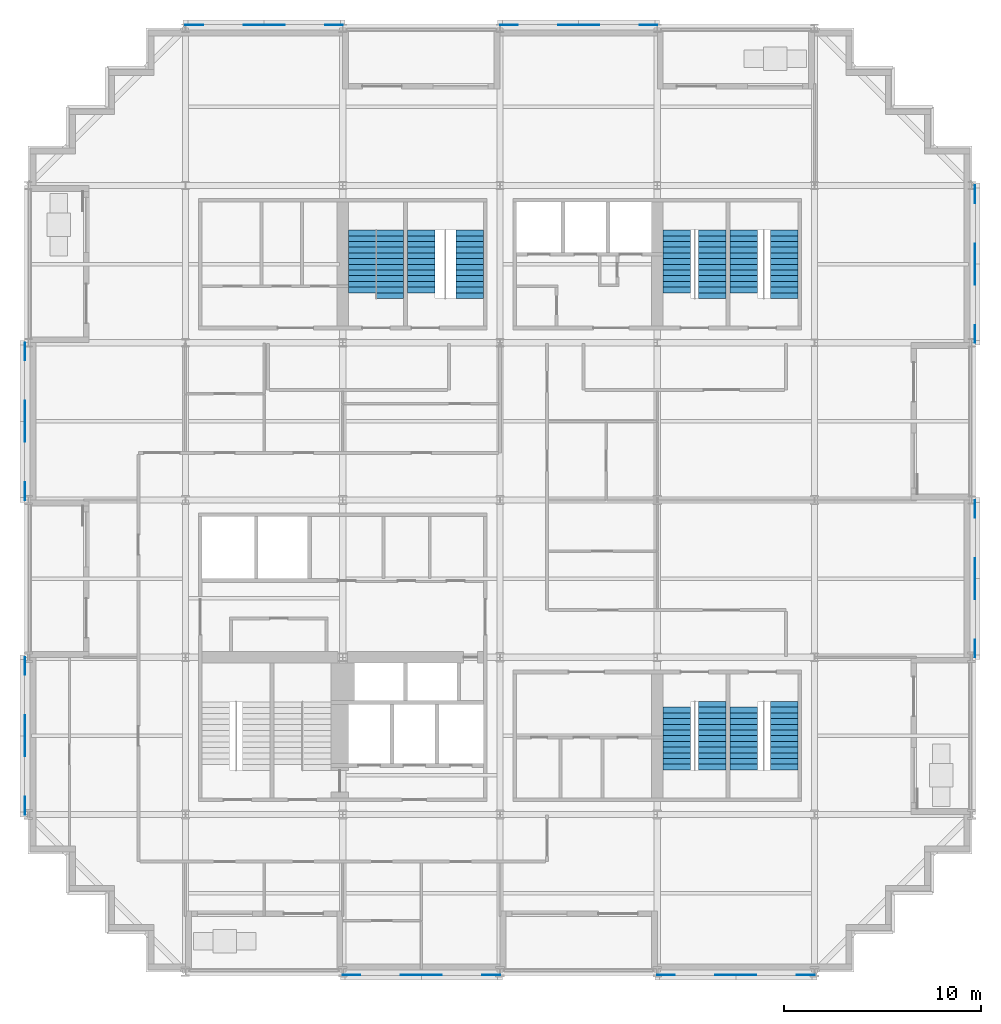
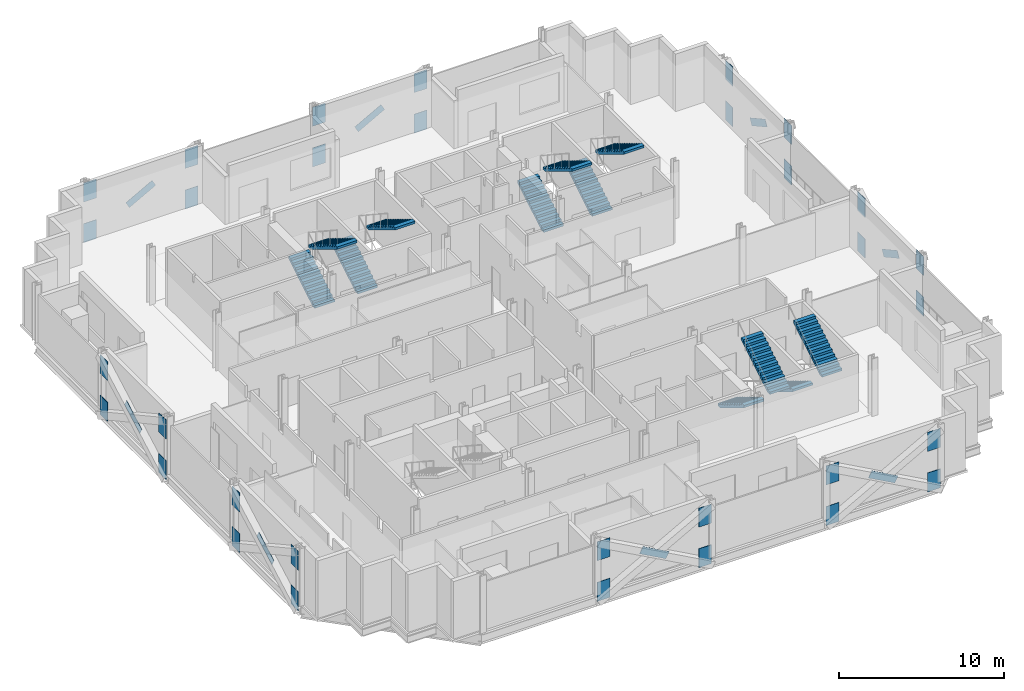
# One storey, part 10 of 13: 40 discrete accessories, 12 stair flights, 6 elements without a shape of their own.
"""IFC4 building model written with IfcOpenShell, lengths in metres."""

from ifc_helpers import new_model, si_unit, direction, frame, origin, origin_2d, place, context, subcontext, project, spatial, polyline, rectangle, outline, extrude, material, material_profile, profile_set, type_object, element, aggregate, save


model = new_model("IFC4")

# Units and contexts
model_context = context("Model", 3, precision=1e-05, world=origin(), true_north=direction((0.0, 1.0)))
body_context = subcontext(model_context, "Body", "Model", "MODEL_VIEW")
ifc_project = project(units=[si_unit("LENGTHUNIT", "METRE"), si_unit("AREAUNIT", "SQUARE_METRE"), si_unit("VOLUMEUNIT", "CUBIC_METRE"), si_unit("PLANEANGLEUNIT", "RADIAN"), si_unit("MASSUNIT", "GRAM", prefix="KILO")], contexts=[model_context])

# Site, building, storey
site_placement = place(None, origin())
site = spatial("IfcSite", under=ifc_project, at=site_placement, CompositionType="ELEMENT")
building_placement = place(site_placement, origin())
building = spatial("IfcBuilding", under=site, at=building_placement, Name="Immortelle Media Tower", CompositionType="ELEMENT")
storey_placement = place(building_placement, frame((0.0, 0.0, 34.800048828125)))
storey = spatial("IfcBuildingStorey", under=building, at=storey_placement, Name="L04", CompositionType="ELEMENT", Elevation=34.800048828125)

# Stair, stair flights
ifc_material_1 = material(Name="Steel ASTM A992 Gr 50", Category="steel")
stair_type = type_object("IfcStairType", Name="Stair with flights", PredefinedType="DOUBLE_RETURN_STAIR", material=ifc_material_1)
stair_1_placement = place(storey_placement, origin())
stair_1 = element("IfcStair", 1, at=stair_1_placement, inside=storey, type_object=stair_type, Name="Exit stair SE1", PredefinedType="DOUBLE_RETURN_STAIR")
stair_flight_type = type_object("IfcStairFlightType", Name="Stair flight 1400", PredefinedType="STRAIGHT", material=ifc_material_1)
stair_flight_1_placement = place(storey_placement, frame((33.0, 13.4599609375, 0.0), z_axis=(0.0, 0.0, 1.0), x_axis=(0.0, -1.0, 0.0)))
stair_flight_1 = element("IfcStairFlight", 2, at=stair_flight_1_placement, type_object=stair_flight_type, Name="ST SE1 flight 1", NumberOfRisers=12, NumberOfTreads=11, PredefinedType="STRAIGHT", RiserHeight=0.176, TreadLength=0.29, context=body_context, shape_type="SweptSolid", body=[
    extrude(outline(polyline([(0.0, 0.0), (0.0, 0.176025390625), (0.2900390625, 0.176025390625), (0.2900390625, 0.35205078125), (0.580078125, 0.35205078125), (0.580078125, 0.528076171875), (0.8701171875, 0.528076171875), (0.8701171875, 0.7041015625), (1.159912109375, 0.7041015625), (1.159912109375, 0.8798828125), (1.449951171875, 0.8798828125), (1.449951171875, 1.055908203125), (1.739990234375, 1.055908203125), (1.739990234375, 1.23193359375), (2.030029296875, 1.23193359375), (2.030029296875, 1.407958984375), (2.320068359375, 1.407958984375), (2.320068359375, 1.583984375), (2.610107421875, 1.583984375), (2.610107421875, 1.760009765625), (2.89990234375, 1.760009765625), (2.89990234375, 1.93603515625), (3.18994140625, 1.93603515625), (3.18994140625, 2.112060546875), (3.18994140625, 1.7607421875), (0.288818359375, 0.0), (0.0, 0.0)])), frame((0.0, 0.699951171875, 0.0), z_axis=(0.0, -1.0, 0.0), x_axis=(1.0, 0.0, 0.0)), (0.0, 0.0, 1.0), 1.39990234375),
])
stair_flight_2_placement = place(storey_placement, frame((34.800048828125, 10.27001953125, 2.112060546875), z_axis=(0.0, 0.0, 1.0), x_axis=(0.0, 1.0, 0.0)))
stair_flight_2 = element("IfcStairFlight", 3, at=stair_flight_2_placement, type_object=stair_flight_type, Name="ST SE1 flight 2", NumberOfRisers=13, NumberOfTreads=12, PredefinedType="STRAIGHT", RiserHeight=0.176, TreadLength=0.29, context=body_context, shape_type="SweptSolid", body=[
    extrude(outline(polyline([(0.0, 0.0), (0.0, 0.176025390625), (0.2900390625, 0.176025390625), (0.2900390625, 0.35205078125), (0.580078125, 0.35205078125), (0.580078125, 0.528076171875), (0.8701171875, 0.528076171875), (0.8701171875, 0.7041015625), (1.159912109375, 0.7041015625), (1.159912109375, 0.8798828125), (1.449951171875, 0.8798828125), (1.449951171875, 1.055908203125), (1.739990234375, 1.055908203125), (1.739990234375, 1.23193359375), (2.030029296875, 1.23193359375), (2.030029296875, 1.407958984375), (2.320068359375, 1.407958984375), (2.320068359375, 1.583984375), (2.610107421875, 1.583984375), (2.610107421875, 1.760009765625), (2.89990234375, 1.760009765625), (2.89990234375, 1.93603515625), (3.18994140625, 1.93603515625), (3.18994140625, 2.112060546875), (3.47998046875, 2.112060546875), (3.47998046875, 2.2880859375), (3.47998046875, 1.936767578125), (0.288818359375, 0.0), (0.0, 0.0)])), frame((0.0, 0.699951171875, 0.0), z_axis=(0.0, -1.0, 0.0), x_axis=(1.0, 0.0, 0.0)), (0.0, 0.0, 1.0), 1.39990234375),
])
aggregate(stair_1, [stair_flight_1, stair_flight_2])

stair_2_placement = place(storey_placement, origin())
stair_2 = element("IfcStair", 4, at=stair_2_placement, inside=storey, type_object=stair_type, Name="Exit stair SE2", PredefinedType="DOUBLE_RETURN_STAIR")
stair_flight_3_placement = place(storey_placement, frame((36.39990234375, 13.4599609375, 0.0), z_axis=(0.0, 0.0, 1.0), x_axis=(0.0, -1.0, 0.0)))
stair_flight_3 = element("IfcStairFlight", 5, at=stair_flight_3_placement, type_object=stair_flight_type, Name="ST SE2 flight 1", NumberOfRisers=12, NumberOfTreads=11, PredefinedType="STRAIGHT", RiserHeight=0.176, TreadLength=0.29, context=body_context, shape_type="SweptSolid", body=[
    extrude(outline(polyline([(0.0, 0.0), (0.0, 0.176025390625), (0.2900390625, 0.176025390625), (0.2900390625, 0.35205078125), (0.580078125, 0.35205078125), (0.580078125, 0.528076171875), (0.8701171875, 0.528076171875), (0.8701171875, 0.7041015625), (1.159912109375, 0.7041015625), (1.159912109375, 0.8798828125), (1.449951171875, 0.8798828125), (1.449951171875, 1.055908203125), (1.739990234375, 1.055908203125), (1.739990234375, 1.23193359375), (2.030029296875, 1.23193359375), (2.030029296875, 1.407958984375), (2.320068359375, 1.407958984375), (2.320068359375, 1.583984375), (2.610107421875, 1.583984375), (2.610107421875, 1.760009765625), (2.89990234375, 1.760009765625), (2.89990234375, 1.93603515625), (3.18994140625, 1.93603515625), (3.18994140625, 2.112060546875), (3.18994140625, 1.7607421875), (0.288818359375, 0.0), (0.0, 0.0)])), frame((0.0, 0.699951171875, 0.0), z_axis=(0.0, -1.0, 0.0), x_axis=(1.0, 0.0, 0.0)), (0.0, 0.0, 1.0), 1.39990234375),
])
stair_flight_4_placement = place(storey_placement, frame((38.449951171875, 10.27001953125, 2.112060546875), z_axis=(0.0, 0.0, 1.0), x_axis=(0.0, 1.0, 0.0)))
stair_flight_4 = element("IfcStairFlight", 6, at=stair_flight_4_placement, type_object=stair_flight_type, Name="ST SE2 flight 2", NumberOfRisers=13, NumberOfTreads=12, PredefinedType="STRAIGHT", RiserHeight=0.176, TreadLength=0.29, context=body_context, shape_type="SweptSolid", body=[
    extrude(outline(polyline([(0.0, 0.0), (0.0, 0.176025390625), (0.2900390625, 0.176025390625), (0.2900390625, 0.35205078125), (0.580078125, 0.35205078125), (0.580078125, 0.528076171875), (0.8701171875, 0.528076171875), (0.8701171875, 0.7041015625), (1.159912109375, 0.7041015625), (1.159912109375, 0.8798828125), (1.449951171875, 0.8798828125), (1.449951171875, 1.055908203125), (1.739990234375, 1.055908203125), (1.739990234375, 1.23193359375), (2.030029296875, 1.23193359375), (2.030029296875, 1.407958984375), (2.320068359375, 1.407958984375), (2.320068359375, 1.583984375), (2.610107421875, 1.583984375), (2.610107421875, 1.760009765625), (2.89990234375, 1.760009765625), (2.89990234375, 1.93603515625), (3.18994140625, 1.93603515625), (3.18994140625, 2.112060546875), (3.47998046875, 2.112060546875), (3.47998046875, 2.2880859375), (3.47998046875, 1.936767578125), (0.288818359375, 0.0), (0.0, 0.0)])), frame((0.0, 0.699951171875, 0.0), z_axis=(0.0, -1.0, 0.0), x_axis=(1.0, 0.0, 0.0)), (0.0, 0.0, 1.0), 1.39990234375),
])
aggregate(stair_2, [stair_flight_3, stair_flight_4])

stair_3_placement = place(storey_placement, origin())
stair_3 = element("IfcStair", 7, at=stair_3_placement, inside=storey, type_object=stair_type, Name="Exit stair NW1", PredefinedType="DOUBLE_RETURN_STAIR")
stair_flight_5_placement = place(storey_placement, frame((17.0, 34.5400390625, 0.0), z_axis=(0.0, 0.0, 1.0), x_axis=(0.0, 1.0, 0.0)))
stair_flight_5 = element("IfcStairFlight", 8, at=stair_flight_5_placement, type_object=stair_flight_type, Name="ST NW1 flight 1", NumberOfRisers=12, NumberOfTreads=11, PredefinedType="STRAIGHT", RiserHeight=0.176, TreadLength=0.29, context=body_context, shape_type="SweptSolid", body=[
    extrude(outline(polyline([(0.0, 0.0), (0.0, 0.176025390625), (0.2900390625, 0.176025390625), (0.2900390625, 0.35205078125), (0.580078125, 0.35205078125), (0.580078125, 0.528076171875), (0.8701171875, 0.528076171875), (0.8701171875, 0.7041015625), (1.159912109375, 0.7041015625), (1.159912109375, 0.8798828125), (1.449951171875, 0.8798828125), (1.449951171875, 1.055908203125), (1.739990234375, 1.055908203125), (1.739990234375, 1.23193359375), (2.030029296875, 1.23193359375), (2.030029296875, 1.407958984375), (2.320068359375, 1.407958984375), (2.320068359375, 1.583984375), (2.610107421875, 1.583984375), (2.610107421875, 1.760009765625), (2.89990234375, 1.760009765625), (2.89990234375, 1.93603515625), (3.18994140625, 1.93603515625), (3.18994140625, 2.112060546875), (3.18994140625, 1.7607421875), (0.288818359375, 0.0), (0.0, 0.0)])), frame((0.0, 0.699951171875, 0.0), z_axis=(0.0, -1.0, 0.0), x_axis=(1.0, 0.0, 0.0)), (0.0, 0.0, 1.0), 1.39990234375),
])
stair_flight_6_placement = place(storey_placement, frame((18.39990234375, 37.72998046875, 2.112060546875), z_axis=(0.0, 0.0, 1.0), x_axis=(0.0, -1.0, 0.0)))
stair_flight_6 = element("IfcStairFlight", 9, at=stair_flight_6_placement, type_object=stair_flight_type, Name="ST NW1 flight 2", NumberOfRisers=13, NumberOfTreads=12, PredefinedType="STRAIGHT", RiserHeight=0.176, TreadLength=0.29, context=body_context, shape_type="SweptSolid", body=[
    extrude(outline(polyline([(0.0, 0.0), (0.0, 0.176025390625), (0.2900390625, 0.176025390625), (0.2900390625, 0.35205078125), (0.580078125, 0.35205078125), (0.580078125, 0.528076171875), (0.8701171875, 0.528076171875), (0.8701171875, 0.7041015625), (1.159912109375, 0.7041015625), (1.159912109375, 0.8798828125), (1.449951171875, 0.8798828125), (1.449951171875, 1.055908203125), (1.739990234375, 1.055908203125), (1.739990234375, 1.23193359375), (2.030029296875, 1.23193359375), (2.030029296875, 1.407958984375), (2.320068359375, 1.407958984375), (2.320068359375, 1.583984375), (2.610107421875, 1.583984375), (2.610107421875, 1.760009765625), (2.89990234375, 1.760009765625), (2.89990234375, 1.93603515625), (3.18994140625, 1.93603515625), (3.18994140625, 2.112060546875), (3.47998046875, 2.112060546875), (3.47998046875, 2.2880859375), (3.47998046875, 1.936767578125), (0.288818359375, 0.0), (0.0, 0.0)])), frame((0.0, 0.699951171875, 0.0), z_axis=(0.0, -1.0, 0.0), x_axis=(1.0, 0.0, 0.0)), (0.0, 0.0, 1.0), 1.39990234375),
])
aggregate(stair_3, [stair_flight_5, stair_flight_6])

stair_4_placement = place(storey_placement, origin())
stair_4 = element("IfcStair", 10, at=stair_4_placement, inside=storey, type_object=stair_type, Name="Exit stair NW2", PredefinedType="DOUBLE_RETURN_STAIR")
stair_flight_7_placement = place(storey_placement, frame((20.0, 34.5400390625, 0.0), z_axis=(0.0, 0.0, 1.0), x_axis=(0.0, 1.0, 0.0)))
stair_flight_7 = element("IfcStairFlight", 11, at=stair_flight_7_placement, type_object=stair_flight_type, Name="ST NW2 flight 1", NumberOfRisers=12, NumberOfTreads=11, PredefinedType="STRAIGHT", RiserHeight=0.176, TreadLength=0.29, context=body_context, shape_type="SweptSolid", body=[
    extrude(outline(polyline([(0.0, 0.0), (0.0, 0.176025390625), (0.2900390625, 0.176025390625), (0.2900390625, 0.35205078125), (0.580078125, 0.35205078125), (0.580078125, 0.528076171875), (0.8701171875, 0.528076171875), (0.8701171875, 0.7041015625), (1.159912109375, 0.7041015625), (1.159912109375, 0.8798828125), (1.449951171875, 0.8798828125), (1.449951171875, 1.055908203125), (1.739990234375, 1.055908203125), (1.739990234375, 1.23193359375), (2.030029296875, 1.23193359375), (2.030029296875, 1.407958984375), (2.320068359375, 1.407958984375), (2.320068359375, 1.583984375), (2.610107421875, 1.583984375), (2.610107421875, 1.760009765625), (2.89990234375, 1.760009765625), (2.89990234375, 1.93603515625), (3.18994140625, 1.93603515625), (3.18994140625, 2.112060546875), (3.18994140625, 1.7607421875), (0.288818359375, 0.0), (0.0, 0.0)])), frame((0.0, 0.699951171875, 0.0), z_axis=(0.0, -1.0, 0.0), x_axis=(1.0, 0.0, 0.0)), (0.0, 0.0, 1.0), 1.39990234375),
])
stair_flight_8_placement = place(storey_placement, frame((22.449951171875, 37.72998046875, 2.112060546875), z_axis=(0.0, 0.0, 1.0), x_axis=(0.0, -1.0, 0.0)))
stair_flight_8 = element("IfcStairFlight", 12, at=stair_flight_8_placement, type_object=stair_flight_type, Name="ST NW2 flight 2", NumberOfRisers=13, NumberOfTreads=12, PredefinedType="STRAIGHT", RiserHeight=0.176, TreadLength=0.29, context=body_context, shape_type="SweptSolid", body=[
    extrude(outline(polyline([(0.0, 0.0), (0.0, 0.176025390625), (0.2900390625, 0.176025390625), (0.2900390625, 0.35205078125), (0.580078125, 0.35205078125), (0.580078125, 0.528076171875), (0.8701171875, 0.528076171875), (0.8701171875, 0.7041015625), (1.159912109375, 0.7041015625), (1.159912109375, 0.8798828125), (1.449951171875, 0.8798828125), (1.449951171875, 1.055908203125), (1.739990234375, 1.055908203125), (1.739990234375, 1.23193359375), (2.030029296875, 1.23193359375), (2.030029296875, 1.407958984375), (2.320068359375, 1.407958984375), (2.320068359375, 1.583984375), (2.610107421875, 1.583984375), (2.610107421875, 1.760009765625), (2.89990234375, 1.760009765625), (2.89990234375, 1.93603515625), (3.18994140625, 1.93603515625), (3.18994140625, 2.112060546875), (3.47998046875, 2.112060546875), (3.47998046875, 2.2880859375), (3.47998046875, 1.936767578125), (0.288818359375, 0.0), (0.0, 0.0)])), frame((0.0, 0.699951171875, 0.0), z_axis=(0.0, -1.0, 0.0), x_axis=(1.0, 0.0, 0.0)), (0.0, 0.0, 1.0), 1.39990234375),
])
aggregate(stair_4, [stair_flight_7, stair_flight_8])

stair_5_placement = place(storey_placement, origin())
stair_5 = element("IfcStair", 13, at=stair_5_placement, inside=storey, type_object=stair_type, Name="Exit stair NE1", PredefinedType="DOUBLE_RETURN_STAIR")
stair_flight_9_placement = place(storey_placement, frame((33.0, 34.5400390625, 0.0), z_axis=(0.0, 0.0, 1.0), x_axis=(0.0, 1.0, 0.0)))
stair_flight_9 = element("IfcStairFlight", 14, at=stair_flight_9_placement, type_object=stair_flight_type, Name="ST NE1 flight 1", NumberOfRisers=12, NumberOfTreads=11, PredefinedType="STRAIGHT", RiserHeight=0.176, TreadLength=0.29, context=body_context, shape_type="SweptSolid", body=[
    extrude(outline(polyline([(0.0, 0.0), (0.0, 0.176025390625), (0.2900390625, 0.176025390625), (0.2900390625, 0.35205078125), (0.580078125, 0.35205078125), (0.580078125, 0.528076171875), (0.8701171875, 0.528076171875), (0.8701171875, 0.7041015625), (1.159912109375, 0.7041015625), (1.159912109375, 0.8798828125), (1.449951171875, 0.8798828125), (1.449951171875, 1.055908203125), (1.739990234375, 1.055908203125), (1.739990234375, 1.23193359375), (2.030029296875, 1.23193359375), (2.030029296875, 1.407958984375), (2.320068359375, 1.407958984375), (2.320068359375, 1.583984375), (2.610107421875, 1.583984375), (2.610107421875, 1.760009765625), (2.89990234375, 1.760009765625), (2.89990234375, 1.93603515625), (3.18994140625, 1.93603515625), (3.18994140625, 2.112060546875), (3.18994140625, 1.7607421875), (0.288818359375, 0.0), (0.0, 0.0)])), frame((0.0, 0.699951171875, 0.0), z_axis=(0.0, -1.0, 0.0), x_axis=(1.0, 0.0, 0.0)), (0.0, 0.0, 1.0), 1.39990234375),
])
stair_flight_10_placement = place(storey_placement, frame((34.800048828125, 37.72998046875, 2.112060546875), z_axis=(0.0, 0.0, 1.0), x_axis=(0.0, -1.0, 0.0)))
stair_flight_10 = element("IfcStairFlight", 15, at=stair_flight_10_placement, type_object=stair_flight_type, Name="ST NE1 flight 2", NumberOfRisers=13, NumberOfTreads=12, PredefinedType="STRAIGHT", RiserHeight=0.176, TreadLength=0.29, context=body_context, shape_type="SweptSolid", body=[
    extrude(outline(polyline([(0.0, 0.0), (0.0, 0.176025390625), (0.2900390625, 0.176025390625), (0.2900390625, 0.35205078125), (0.580078125, 0.35205078125), (0.580078125, 0.528076171875), (0.8701171875, 0.528076171875), (0.8701171875, 0.7041015625), (1.159912109375, 0.7041015625), (1.159912109375, 0.8798828125), (1.449951171875, 0.8798828125), (1.449951171875, 1.055908203125), (1.739990234375, 1.055908203125), (1.739990234375, 1.23193359375), (2.030029296875, 1.23193359375), (2.030029296875, 1.407958984375), (2.320068359375, 1.407958984375), (2.320068359375, 1.583984375), (2.610107421875, 1.583984375), (2.610107421875, 1.760009765625), (2.89990234375, 1.760009765625), (2.89990234375, 1.93603515625), (3.18994140625, 1.93603515625), (3.18994140625, 2.112060546875), (3.47998046875, 2.112060546875), (3.47998046875, 2.2880859375), (3.47998046875, 1.936767578125), (0.288818359375, 0.0), (0.0, 0.0)])), frame((0.0, 0.699951171875, 0.0), z_axis=(0.0, -1.0, 0.0), x_axis=(1.0, 0.0, 0.0)), (0.0, 0.0, 1.0), 1.39990234375),
])
aggregate(stair_5, [stair_flight_9, stair_flight_10])

stair_6_placement = place(storey_placement, origin())
stair_6 = element("IfcStair", 16, at=stair_6_placement, inside=storey, type_object=stair_type, Name="Exit stair NE2", PredefinedType="DOUBLE_RETURN_STAIR")
stair_flight_11_placement = place(storey_placement, frame((36.39990234375, 34.5400390625, 0.0), z_axis=(0.0, 0.0, 1.0), x_axis=(0.0, 1.0, 0.0)))
stair_flight_11 = element("IfcStairFlight", 17, at=stair_flight_11_placement, type_object=stair_flight_type, Name="ST NE2 flight 1", NumberOfRisers=12, NumberOfTreads=11, PredefinedType="STRAIGHT", RiserHeight=0.176, TreadLength=0.29, context=body_context, shape_type="SweptSolid", body=[
    extrude(outline(polyline([(0.0, 0.0), (0.0, 0.176025390625), (0.2900390625, 0.176025390625), (0.2900390625, 0.35205078125), (0.580078125, 0.35205078125), (0.580078125, 0.528076171875), (0.8701171875, 0.528076171875), (0.8701171875, 0.7041015625), (1.159912109375, 0.7041015625), (1.159912109375, 0.8798828125), (1.449951171875, 0.8798828125), (1.449951171875, 1.055908203125), (1.739990234375, 1.055908203125), (1.739990234375, 1.23193359375), (2.030029296875, 1.23193359375), (2.030029296875, 1.407958984375), (2.320068359375, 1.407958984375), (2.320068359375, 1.583984375), (2.610107421875, 1.583984375), (2.610107421875, 1.760009765625), (2.89990234375, 1.760009765625), (2.89990234375, 1.93603515625), (3.18994140625, 1.93603515625), (3.18994140625, 2.112060546875), (3.18994140625, 1.7607421875), (0.288818359375, 0.0), (0.0, 0.0)])), frame((0.0, 0.699951171875, 0.0), z_axis=(0.0, -1.0, 0.0), x_axis=(1.0, 0.0, 0.0)), (0.0, 0.0, 1.0), 1.39990234375),
])
stair_flight_12_placement = place(storey_placement, frame((38.449951171875, 37.72998046875, 2.112060546875), z_axis=(0.0, 0.0, 1.0), x_axis=(0.0, -1.0, 0.0)))
stair_flight_12 = element("IfcStairFlight", 18, at=stair_flight_12_placement, type_object=stair_flight_type, Name="ST NE2 flight 2", NumberOfRisers=13, NumberOfTreads=12, PredefinedType="STRAIGHT", RiserHeight=0.176, TreadLength=0.29, context=body_context, shape_type="SweptSolid", body=[
    extrude(outline(polyline([(0.0, 0.0), (0.0, 0.176025390625), (0.2900390625, 0.176025390625), (0.2900390625, 0.35205078125), (0.580078125, 0.35205078125), (0.580078125, 0.528076171875), (0.8701171875, 0.528076171875), (0.8701171875, 0.7041015625), (1.159912109375, 0.7041015625), (1.159912109375, 0.8798828125), (1.449951171875, 0.8798828125), (1.449951171875, 1.055908203125), (1.739990234375, 1.055908203125), (1.739990234375, 1.23193359375), (2.030029296875, 1.23193359375), (2.030029296875, 1.407958984375), (2.320068359375, 1.407958984375), (2.320068359375, 1.583984375), (2.610107421875, 1.583984375), (2.610107421875, 1.760009765625), (2.89990234375, 1.760009765625), (2.89990234375, 1.93603515625), (3.18994140625, 1.93603515625), (3.18994140625, 2.112060546875), (3.47998046875, 2.112060546875), (3.47998046875, 2.2880859375), (3.47998046875, 1.936767578125), (0.288818359375, 0.0), (0.0, 0.0)])), frame((0.0, 0.699951171875, 0.0), z_axis=(0.0, -1.0, 0.0), x_axis=(1.0, 0.0, 0.0)), (0.0, 0.0, 1.0), 1.39990234375),
])
aggregate(stair_6, [stair_flight_11, stair_flight_12])

# Discrete accessories
ifc_material_2 = material(Name="Steel ASTM A572 Gr 50", Category="steel")
ifc_material_profile_1 = material_profile(ifc_material_2, rectangle(XDim=0.02392578125, YDim=0.508056640625, at=origin_2d()), Name="PL 24 x 508")
ifc_profile_set_1 = profile_set([ifc_material_profile_1], Name="Steel ASTM A572 Gr 50")
discrete_accessory_type_1 = type_object("IfcDiscreteAccessoryType", Name="Crossing plate XP-BR2 2100 x 508 x 24", PredefinedType="USERDEFINED", material=ifc_profile_set_1)
for number, where, z_axis, x_axis, name in (
    (19, (-0.1640625, 28.919921875, 2.2080078125), (0.0, -0.876206089199, -0.481936602937), (1.0, 0.0, 0.0), "Crossing plate XP-BR2 of Brace 1/D-E A and Brace 1/D-E B"),
    (20, (-0.1640625, 12.919921875, 2.2080078125), (0.0, -0.876206089199, -0.481936602937), (1.0, 0.0, 0.0), "Crossing plate XP-BR2 of Brace 1/B-C A and Brace 1/B-C B"),
    (21, (48.1640625, 19.080078125, 2.2080078125), (0.0, 0.876206089199, -0.481936602937), (-1.0, 0.0, 0.0), "Crossing plate XP-BR2 of Brace 7/C-D A and Brace 7/C-D B"),
    (22, (48.1640625, 35.080078125, 2.2080078125), (0.0, 0.876206089199, -0.481936602937), (-1.0, 0.0, 0.0), "Crossing plate XP-BR2 of Brace 7/E-F A and Brace 7/E-F B"),
    (23, (28.919921875, 48.1640625, 2.2080078125), (-0.876206089199, 0.0, -0.481936602937), (0.0, -1.0, 0.0), "Crossing plate XP-BR2 of Brace G/4-5 A and Brace G/4-5 B"),
    (24, (12.919921875, 48.1640625, 2.2080078125), (-0.876206089199, 0.0, -0.481936602937), (0.0, -1.0, 0.0), "Crossing plate XP-BR2 of Brace G/2-3 A and Brace G/2-3 B"),
    (25, (19.080078125, -0.1640625, 2.2080078125), (0.876206089199, 0.0, -0.481936602937), (0.0, 1.0, 0.0), "Crossing plate XP-BR2 of Brace A/3-4 A and Brace A/3-4 B"),
    (26, (35.080078125, -0.1640625, 2.2080078125), (0.876206089199, 0.0, -0.481936602937), (0.0, 1.0, 0.0), "Crossing plate XP-BR2 of Brace A/5-6 A and Brace A/5-6 B"),
):
    element("IfcDiscreteAccessory", number, at=place(storey_placement, frame(where, z_axis=z_axis, x_axis=x_axis)), inside=storey, type_object=discrete_accessory_type_1, Name=name, ObjectType="CROSSING PLATE", PredefinedType="USERDEFINED", context=body_context, shape_type="SweptSolid", body=[
        extrude(rectangle(XDim=0.02392578125, YDim=0.508056640625, at=origin_2d()), origin(), (0.0, 0.0, 1.0), 2.099853515625),
    ])
ifc_material_profile_2 = material_profile(ifc_material_2, rectangle(XDim=0.031982421875, YDim=1.39990234375, at=origin_2d()), Name="PL 32 x 1400")
ifc_profile_set_2 = profile_set([ifc_material_profile_2], Name="Steel ASTM A572 Gr 50")
discrete_accessory_type_2 = type_object("IfcDiscreteAccessoryType", Name="Gusset plate GP1 900 x 1400 x 32", PredefinedType="USERDEFINED", material=ifc_profile_set_2)
for number, where, z_axis, x_axis, name in (
    (27, (-0.1640625, 32.0, 0.201904296875), (0.0, -1.0, 0.0), (1.0, 0.0, 0.0), "Gusset plate GP1, lower end of Brace 1/D-E A"),
    (28, (-0.1640625, 24.0, 3.201904296875), (0.0, 1.0, 0.0), (-1.0, 0.0, 0.0), "Gusset plate GP1, upper end of Brace 1/D-E A"),
    (29, (-0.1640625, 24.0, 0.201904296875), (0.0, 1.0, 0.0), (-1.0, 0.0, 0.0), "Gusset plate GP1, lower end of Brace 1/D-E B"),
    (30, (-0.1640625, 32.0, 3.201904296875), (0.0, -1.0, 0.0), (1.0, 0.0, 0.0), "Gusset plate GP1, upper end of Brace 1/D-E B"),
    (31, (-0.1640625, 16.0, 0.201904296875), (0.0, -1.0, 0.0), (1.0, 0.0, 0.0), "Gusset plate GP1, lower end of Brace 1/B-C A"),
    (32, (-0.1640625, 8.0, 3.201904296875), (0.0, 1.0, 0.0), (-1.0, 0.0, 0.0), "Gusset plate GP1, upper end of Brace 1/B-C A"),
    (33, (-0.1640625, 8.0, 0.201904296875), (0.0, 1.0, 0.0), (-1.0, 0.0, 0.0), "Gusset plate GP1, lower end of Brace 1/B-C B"),
    (34, (-0.1640625, 16.0, 3.201904296875), (0.0, -1.0, 0.0), (1.0, 0.0, 0.0), "Gusset plate GP1, upper end of Brace 1/B-C B"),
    (35, (16.0, -0.1640625, 0.201904296875), (1.0, 0.0, 0.0), (0.0, 1.0, 0.0), "Gusset plate GP1, lower end of Brace A/3-4 A"),
    (36, (24.0, -0.1640625, 3.201904296875), (-1.0, 0.0, 0.0), (0.0, -1.0, 0.0), "Gusset plate GP1, upper end of Brace A/3-4 A"),
    (37, (24.0, -0.1640625, 0.201904296875), (-1.0, 0.0, 0.0), (0.0, -1.0, 0.0), "Gusset plate GP1, lower end of Brace A/3-4 B"),
    (38, (16.0, -0.1640625, 3.201904296875), (1.0, 0.0, 0.0), (0.0, 1.0, 0.0), "Gusset plate GP1, upper end of Brace A/3-4 B"),
    (39, (32.0, -0.1640625, 0.201904296875), (1.0, 0.0, 0.0), (0.0, 1.0, 0.0), "Gusset plate GP1, lower end of Brace A/5-6 A"),
    (40, (40.0, -0.1640625, 3.201904296875), (-1.0, 0.0, 0.0), (0.0, -1.0, 0.0), "Gusset plate GP1, upper end of Brace A/5-6 A"),
    (41, (40.0, -0.1640625, 0.201904296875), (-1.0, 0.0, 0.0), (0.0, -1.0, 0.0), "Gusset plate GP1, lower end of Brace A/5-6 B"),
    (42, (32.0, -0.1640625, 3.201904296875), (1.0, 0.0, 0.0), (0.0, 1.0, 0.0), "Gusset plate GP1, upper end of Brace A/5-6 B"),
    (43, (48.1640625, 16.0, 0.201904296875), (0.0, 1.0, 0.0), (-1.0, 0.0, 0.0), "Gusset plate GP1, lower end of Brace 7/C-D A"),
    (44, (48.1640625, 24.0, 3.201904296875), (0.0, -1.0, 0.0), (1.0, 0.0, 0.0), "Gusset plate GP1, upper end of Brace 7/C-D A"),
    (45, (48.1640625, 24.0, 0.201904296875), (0.0, -1.0, 0.0), (1.0, 0.0, 0.0), "Gusset plate GP1, lower end of Brace 7/C-D B"),
    (46, (48.1640625, 16.0, 3.201904296875), (0.0, 1.0, 0.0), (-1.0, 0.0, 0.0), "Gusset plate GP1, upper end of Brace 7/C-D B"),
    (47, (48.1640625, 32.0, 0.201904296875), (0.0, 1.0, 0.0), (-1.0, 0.0, 0.0), "Gusset plate GP1, lower end of Brace 7/E-F A"),
    (48, (48.1640625, 40.0, 3.201904296875), (0.0, -1.0, 0.0), (1.0, 0.0, 0.0), "Gusset plate GP1, upper end of Brace 7/E-F A"),
    (49, (48.1640625, 40.0, 0.201904296875), (0.0, -1.0, 0.0), (1.0, 0.0, 0.0), "Gusset plate GP1, lower end of Brace 7/E-F B"),
    (50, (48.1640625, 32.0, 3.201904296875), (0.0, 1.0, 0.0), (-1.0, 0.0, 0.0), "Gusset plate GP1, upper end of Brace 7/E-F B"),
    (51, (32.0, 48.1640625, 0.201904296875), (-1.0, 0.0, 0.0), (0.0, -1.0, 0.0), "Gusset plate GP1, lower end of Brace G/4-5 A"),
    (52, (24.0, 48.1640625, 3.201904296875), (1.0, 0.0, 0.0), (0.0, 1.0, 0.0), "Gusset plate GP1, upper end of Brace G/4-5 A"),
    (53, (24.0, 48.1640625, 0.201904296875), (1.0, 0.0, 0.0), (0.0, 1.0, 0.0), "Gusset plate GP1, lower end of Brace G/4-5 B"),
    (54, (32.0, 48.1640625, 3.201904296875), (-1.0, 0.0, 0.0), (0.0, -1.0, 0.0), "Gusset plate GP1, upper end of Brace G/4-5 B"),
    (55, (16.0, 48.1640625, 0.201904296875), (-1.0, 0.0, 0.0), (0.0, -1.0, 0.0), "Gusset plate GP1, lower end of Brace G/2-3 A"),
    (56, (8.0, 48.1640625, 3.201904296875), (1.0, 0.0, 0.0), (0.0, 1.0, 0.0), "Gusset plate GP1, upper end of Brace G/2-3 A"),
    (57, (8.0, 48.1640625, 0.201904296875), (1.0, 0.0, 0.0), (0.0, 1.0, 0.0), "Gusset plate GP1, lower end of Brace G/2-3 B"),
    (58, (16.0, 48.1640625, 3.201904296875), (-1.0, 0.0, 0.0), (0.0, -1.0, 0.0), "Gusset plate GP1, upper end of Brace G/2-3 B"),
):
    element("IfcDiscreteAccessory", number, at=place(storey_placement, frame(where, z_axis=z_axis, x_axis=x_axis)), inside=storey, type_object=discrete_accessory_type_2, Name=name, ObjectType="GUSSET PLATE", PredefinedType="USERDEFINED", context=body_context, shape_type="SweptSolid", body=[
        extrude(rectangle(XDim=0.031982421875, YDim=1.39990234375, at=origin_2d()), origin(), (0.0, 0.0, 1.0), 0.89990234375),
    ])

save(model, "model.ifc")
